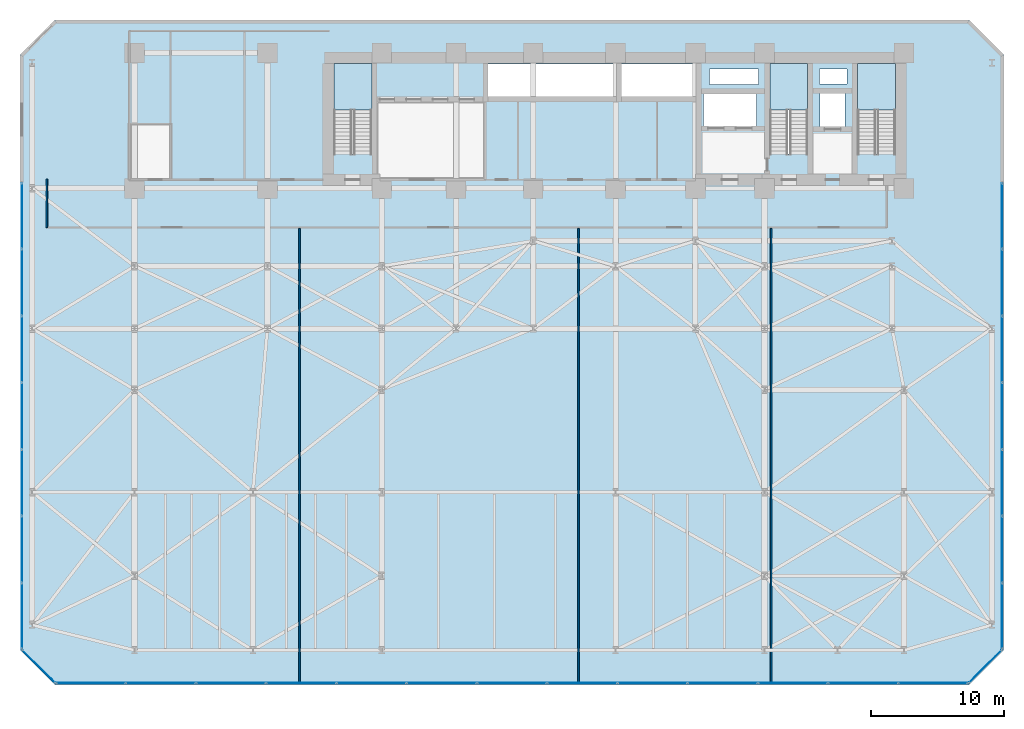
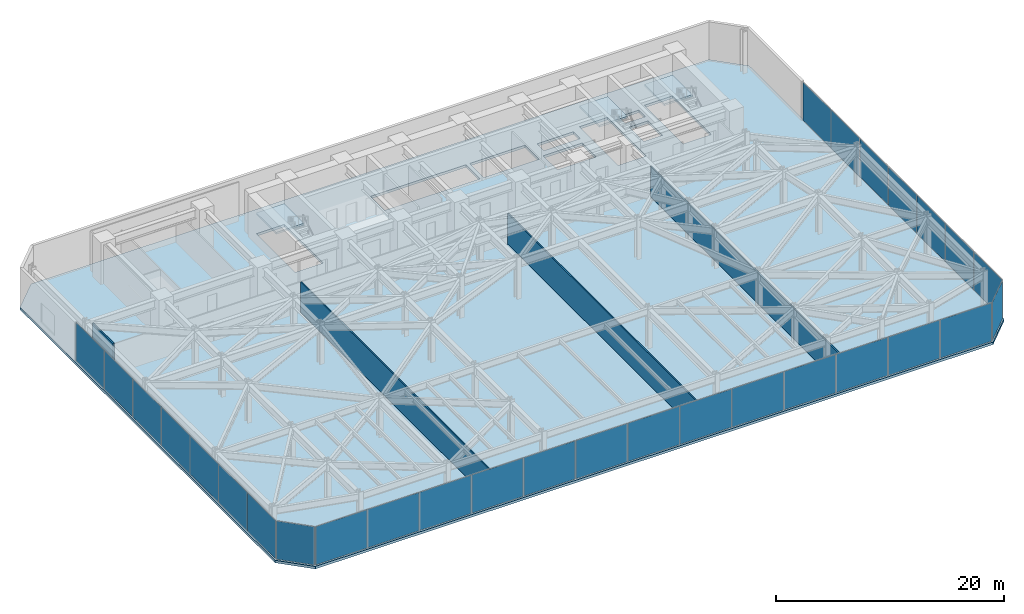
# One storey, part 24 of 28: 29 plates, 4 slabs, 4 walls, 8 elements without a shape of their own.
"""IFC4 building model written with IfcOpenShell, lengths in metres."""

from ifc_helpers import new_model, si_unit, direction, frame, frame_2d, origin, origin_2d, place, context, subcontext, project, spatial, polyline, rectangle, outline, extrude, material, layer, layer_set, type_object, element, aggregate, save


model = new_model("IFC4")

# Units and contexts
model_context = context("Model", 3, precision=1e-05, world=origin(), true_north=direction((0.0, 1.0)))
body_context = subcontext(model_context, "Body", "Model", "MODEL_VIEW")
ifc_project = project(units=[si_unit("LENGTHUNIT", "METRE"), si_unit("AREAUNIT", "SQUARE_METRE"), si_unit("VOLUMEUNIT", "CUBIC_METRE"), si_unit("PLANEANGLEUNIT", "RADIAN"), si_unit("MASSUNIT", "GRAM", prefix="KILO")], contexts=[model_context])

# Site, building, storey
site_placement = place(None, origin())
site = spatial("IfcSite", under=ifc_project, at=site_placement, CompositionType="ELEMENT")
building_placement = place(site_placement, origin())
building = spatial("IfcBuilding", under=site, at=building_placement, Name="Kravanh Interchange Tower", CompositionType="ELEMENT")
storey_placement = place(building_placement, frame((0.0, 0.0, 15.300048828125)))
storey = spatial("IfcBuildingStorey", under=building, at=storey_placement, Name="L03", CompositionType="ELEMENT", Elevation=15.300048828125)

# Slab
ifc_material_1 = material(Name="Concrete C50/60", Category="concrete")
ifc_layer_1 = layer(ifc_material_1, 0.27001953125)
ifc_layer_set_1 = layer_set([ifc_layer_1], Name="Composite Floor Slab Concrete C50/60 270mm")
slab_type_1 = type_object("IfcSlabType", Name="Composite Floor Slab Concrete C50/60 270mm", PredefinedType="FLOOR", material=ifc_layer_set_1)
slab_1_placement = place(storey_placement, frame((0.0, 0.0, -0.27001953125)))
element("IfcSlab", 1, at=slab_1_placement, inside=storey, type_object=slab_type_1, Name="L03 Structural Floor Slab", PredefinedType="FLOOR", context=body_context, shape_type="SweptSolid", body=[
    extrude(outline(polyline([(0.0, 2.60009765625), (2.60009765625, 0.0), (71.39990234375, 0.0), (74.0, 2.60009765625), (74.0, 47.39990234375), (71.39990234375, 50.0), (2.60009765625, 50.0), (0.0, 47.39990234375), (0.0, 2.60009765625)]), holes=[polyline([(65.85009765625, 39.925048828125), (65.85009765625, 46.75), (63.0, 46.75), (63.0, 39.925048828125), (65.85009765625, 39.925048828125)]), polyline([(59.25, 39.925048828125), (59.25, 46.75), (56.39990234375, 46.75), (56.39990234375, 39.925048828125), (59.25, 39.925048828125)]), polyline([(26.449951171875, 39.925048828125), (26.449951171875, 46.75), (23.60009765625, 46.75), (23.60009765625, 39.925048828125), (26.449951171875, 39.925048828125)]), polyline([(35.179931640625, 44.219970703125), (44.840087890625, 44.219970703125), (44.840087890625, 46.699951171875), (35.179931640625, 46.699951171875), (35.179931640625, 44.219970703125)]), polyline([(45.239990234375, 44.219970703125), (50.840087890625, 44.219970703125), (50.840087890625, 46.699951171875), (45.239990234375, 46.699951171875), (45.239990234375, 44.219970703125)]), polyline([(51.419921875, 42.02001953125), (55.3798828125, 42.02001953125), (55.3798828125, 44.47998046875), (51.419921875, 44.47998046875), (51.419921875, 42.02001953125)]), polyline([(60.179931640625, 41.97998046875), (62.06005859375, 41.97998046875), (62.06005859375, 44.52001953125), (60.179931640625, 44.52001953125), (60.179931640625, 41.97998046875)]), polyline([(60.14990234375, 45.199951171875), (62.199951171875, 45.199951171875), (62.199951171875, 46.35009765625), (60.14990234375, 46.35009765625), (60.14990234375, 45.199951171875)]), polyline([(51.85009765625, 45.14990234375), (55.550048828125, 45.14990234375), (55.550048828125, 46.35009765625), (51.85009765625, 46.35009765625), (51.85009765625, 45.14990234375)])]), origin(), (0.0, 0.0, 1.0), 0.27001953125),
])

# Stair, slab
ifc_material_2 = material(Name="Concrete C50/60", Category="concrete")
stair_type = type_object("IfcStairType", Name="Core Fire Exit Dogleg Stair Concrete C50/60", PredefinedType="HALF_TURN_STAIR", material=ifc_material_2)
stair_1_placement = place(storey_placement, origin())
stair_1 = element("IfcStair", 2, at=stair_1_placement, inside=storey, type_object=stair_type, Name="L03 Exit Stair ST1", PredefinedType="HALF_TURN_STAIR")
ifc_material_3 = material(Name="Concrete C50/60", Category="concrete")
ifc_layer_2 = layer(ifc_material_3, 0.199951171875)
ifc_layer_set_2 = layer_set([ifc_layer_2], Name="Concrete C50/60 Stair Half-Landing Slab 200mm")
slab_type_2 = type_object("IfcSlabType", Name="Concrete C50/60 Stair Half-Landing Slab 200mm", PredefinedType="LANDING", material=ifc_layer_set_2)
slab_2_placement = place(storey_placement, frame((0.0, 0.0, 2.050048828125)))
slab_2 = element("IfcSlab", 3, at=slab_2_placement, type_object=slab_type_2, Name="ST1 landing 1", PredefinedType="LANDING", context=body_context, shape_type="SweptSolid", body=[
    extrude(outline(polyline([(65.85009765625, 43.260009765625), (65.85009765625, 46.75), (63.0, 46.75), (63.0, 43.260009765625), (65.85009765625, 43.260009765625)])), origin(), (0.0, 0.0, 1.0), 0.199951171875),
])
aggregate(stair_1, [slab_2])

stair_2_placement = place(storey_placement, origin())
stair_2 = element("IfcStair", 4, at=stair_2_placement, inside=storey, type_object=stair_type, Name="L03 Exit Stair ST2", PredefinedType="HALF_TURN_STAIR")
slab_3_placement = place(storey_placement, frame((0.0, 0.0, 2.050048828125)))
slab_3 = element("IfcSlab", 5, at=slab_3_placement, type_object=slab_type_2, Name="ST2 landing 1", PredefinedType="LANDING", context=body_context, shape_type="SweptSolid", body=[
    extrude(outline(polyline([(59.25, 43.260009765625), (59.25, 46.75), (56.39990234375, 46.75), (56.39990234375, 43.260009765625), (59.25, 43.260009765625)])), origin(), (0.0, 0.0, 1.0), 0.199951171875),
])
aggregate(stair_2, [slab_3])

stair_3_placement = place(storey_placement, origin())
stair_3 = element("IfcStair", 6, at=stair_3_placement, inside=storey, type_object=stair_type, Name="L03 Exit Stair ST3", PredefinedType="HALF_TURN_STAIR")
slab_4_placement = place(storey_placement, frame((0.0, 0.0, 2.050048828125)))
slab_4 = element("IfcSlab", 7, at=slab_4_placement, type_object=slab_type_2, Name="ST3 landing 1", PredefinedType="LANDING", context=body_context, shape_type="SweptSolid", body=[
    extrude(outline(polyline([(26.449951171875, 43.260009765625), (26.449951171875, 46.75), (23.60009765625, 46.75), (23.60009765625, 43.260009765625), (26.449951171875, 43.260009765625)])), origin(), (0.0, 0.0, 1.0), 0.199951171875),
])
aggregate(stair_3, [slab_4])

# Curtain wall, plates
ifc_material_4 = material(Name="Anodised Bronze Aluminium", Category="aluminium")
ifc_layer_3 = layer(ifc_material_4, 0.179931640625)
ifc_layer_set_3 = layer_set([ifc_layer_3], Name="Unitised Curtain Wall System CW-POD Podium Concourse")
curtain_wall_type = type_object("IfcCurtainWallType", Name="Unitised Curtain Wall System CW-POD Podium Concourse", PredefinedType="NOTDEFINED", material=ifc_layer_set_3)
curtain_wall_1_placement = place(storey_placement, origin())
curtain_wall_1 = element("IfcCurtainWall", 8, at=curtain_wall_1_placement, inside=storey, type_object=curtain_wall_type, Name="L03 Unitised Curtain Wall CW-L03-01", PredefinedType="NOTDEFINED")
ifc_material_5 = material(Name="Low-E Laminated Architectural Glass", Category="glass")
ifc_layer_4 = layer(ifc_material_5, 0.031982421875)
ifc_layer_set_4 = layer_set([ifc_layer_4], Name="Low-E Laminated Glazing 32mm")
plate_type = type_object("IfcPlateType", Name="Low-E Laminated Glazing 32mm", PredefinedType="CURTAIN_PANEL", material=ifc_layer_set_4)
plate_1_placement = place(storey_placement, frame((0.1201171875, 5.177978515625, 0.06005859375), z_axis=(0.0, 0.0, 1.0), x_axis=(0.0, 1.0, 0.0)))
plate_1 = element("IfcPlate", 9, at=plate_1_placement, type_object=plate_type, Name="CW-POD panel 1.1", PredefinedType="CURTAIN_PANEL", context=body_context, shape_type="SweptSolid", body=[
    extrude(rectangle(XDim=4.91650390625, YDim=0.031982421875, at=origin_2d()), origin(), (0.0, 0.0, 1.0), 4.110107421875),
])
plate_2_placement = place(storey_placement, frame((0.1201171875, 10.181884765625, 0.06005859375), z_axis=(0.0, 0.0, 1.0), x_axis=(0.0, 1.0, 0.0)))
plate_2 = element("IfcPlate", 10, at=plate_2_placement, type_object=plate_type, Name="CW-POD panel 2.1", PredefinedType="CURTAIN_PANEL", context=body_context, shape_type="SweptSolid", body=[
    extrude(rectangle(XDim=4.951416015625, YDim=0.031982421875, at=origin_2d()), origin(), (0.0, 0.0, 1.0), 4.110107421875),
])
plate_3_placement = place(storey_placement, frame((0.1201171875, 15.203369140625, 0.06005859375), z_axis=(0.0, 0.0, 1.0), x_axis=(0.0, 1.0, 0.0)))
plate_3 = element("IfcPlate", 11, at=plate_3_placement, type_object=plate_type, Name="CW-POD panel 3.1", PredefinedType="CURTAIN_PANEL", context=body_context, shape_type="SweptSolid", body=[
    extrude(rectangle(XDim=4.951416015625, YDim=0.031982421875, at=origin_2d()), origin(), (0.0, 0.0, 1.0), 4.110107421875),
])
plate_4_placement = place(storey_placement, frame((0.1201171875, 20.224853515625, 0.06005859375), z_axis=(0.0, 0.0, 1.0), x_axis=(0.0, 1.0, 0.0)))
plate_4 = element("IfcPlate", 12, at=plate_4_placement, type_object=plate_type, Name="CW-POD panel 4.1", PredefinedType="CURTAIN_PANEL", context=body_context, shape_type="SweptSolid", body=[
    extrude(rectangle(XDim=4.951416015625, YDim=0.031982421875, at=origin_2d()), origin(), (0.0, 0.0, 1.0), 4.110107421875),
])
plate_5_placement = place(storey_placement, frame((0.1201171875, 25.246337890625, 0.06005859375), z_axis=(0.0, 0.0, 1.0), x_axis=(0.0, 1.0, 0.0)))
plate_5 = element("IfcPlate", 13, at=plate_5_placement, type_object=plate_type, Name="CW-POD panel 5.1", PredefinedType="CURTAIN_PANEL", context=body_context, shape_type="SweptSolid", body=[
    extrude(rectangle(XDim=4.951416015625, YDim=0.031982421875, at=origin_2d()), origin(), (0.0, 0.0, 1.0), 4.110107421875),
])
plate_6_placement = place(storey_placement, frame((0.1201171875, 30.267822265625, 0.06005859375), z_axis=(0.0, 0.0, 1.0), x_axis=(0.0, 1.0, 0.0)))
plate_6 = element("IfcPlate", 14, at=plate_6_placement, type_object=plate_type, Name="CW-POD panel 6.1", PredefinedType="CURTAIN_PANEL", context=body_context, shape_type="SweptSolid", body=[
    extrude(rectangle(XDim=4.951416015625, YDim=0.031982421875, at=origin_2d()), origin(), (0.0, 0.0, 1.0), 4.110107421875),
])
plate_7_placement = place(storey_placement, frame((0.1201171875, 35.271728515625, 0.06005859375), z_axis=(0.0, 0.0, 1.0), x_axis=(0.0, 1.0, 0.0)))
plate_7 = element("IfcPlate", 15, at=plate_7_placement, type_object=plate_type, Name="CW-POD panel 7.1", PredefinedType="CURTAIN_PANEL", context=body_context, shape_type="SweptSolid", body=[
    extrude(rectangle(XDim=4.91650390625, YDim=0.031982421875, at=origin_2d()), origin(), (0.0, 0.0, 1.0), 4.110107421875),
])
aggregate(curtain_wall_1, [plate_1, plate_2, plate_3, plate_4, plate_5, plate_6, plate_7])

curtain_wall_2_placement = place(storey_placement, origin())
curtain_wall_2 = element("IfcCurtainWall", 16, at=curtain_wall_2_placement, inside=storey, type_object=curtain_wall_type, Name="L03 Unitised Curtain Wall CW-L03-02", PredefinedType="NOTDEFINED")
plate_8_placement = place(storey_placement, frame((73.8798828125, 35.271728515625, 0.06005859375), z_axis=(0.0, 0.0, 1.0), x_axis=(0.0, -1.0, 0.0)))
plate_8 = element("IfcPlate", 17, at=plate_8_placement, type_object=plate_type, Name="CW-POD panel 1.1", PredefinedType="CURTAIN_PANEL", context=body_context, shape_type="SweptSolid", body=[
    extrude(rectangle(XDim=4.91650390625, YDim=0.031982421875, at=origin_2d()), origin(), (0.0, 0.0, 1.0), 4.110107421875),
])
plate_9_placement = place(storey_placement, frame((73.8798828125, 30.267822265625, 0.06005859375), z_axis=(0.0, 0.0, 1.0), x_axis=(0.0, -1.0, 0.0)))
plate_9 = element("IfcPlate", 18, at=plate_9_placement, type_object=plate_type, Name="CW-POD panel 2.1", PredefinedType="CURTAIN_PANEL", context=body_context, shape_type="SweptSolid", body=[
    extrude(rectangle(XDim=4.951416015625, YDim=0.031982421875, at=origin_2d()), origin(), (0.0, 0.0, 1.0), 4.110107421875),
])
plate_10_placement = place(storey_placement, frame((73.8798828125, 25.246337890625, 0.06005859375), z_axis=(0.0, 0.0, 1.0), x_axis=(0.0, -1.0, 0.0)))
plate_10 = element("IfcPlate", 19, at=plate_10_placement, type_object=plate_type, Name="CW-POD panel 3.1", PredefinedType="CURTAIN_PANEL", context=body_context, shape_type="SweptSolid", body=[
    extrude(rectangle(XDim=4.951416015625, YDim=0.031982421875, at=origin_2d()), origin(), (0.0, 0.0, 1.0), 4.110107421875),
])
plate_11_placement = place(storey_placement, frame((73.8798828125, 20.224853515625, 0.06005859375), z_axis=(0.0, 0.0, 1.0), x_axis=(0.0, -1.0, 0.0)))
plate_11 = element("IfcPlate", 20, at=plate_11_placement, type_object=plate_type, Name="CW-POD panel 4.1", PredefinedType="CURTAIN_PANEL", context=body_context, shape_type="SweptSolid", body=[
    extrude(rectangle(XDim=4.951416015625, YDim=0.031982421875, at=origin_2d()), origin(), (0.0, 0.0, 1.0), 4.110107421875),
])
plate_12_placement = place(storey_placement, frame((73.8798828125, 15.203369140625, 0.06005859375), z_axis=(0.0, 0.0, 1.0), x_axis=(0.0, -1.0, 0.0)))
plate_12 = element("IfcPlate", 21, at=plate_12_placement, type_object=plate_type, Name="CW-POD panel 5.1", PredefinedType="CURTAIN_PANEL", context=body_context, shape_type="SweptSolid", body=[
    extrude(rectangle(XDim=4.951416015625, YDim=0.031982421875, at=origin_2d()), origin(), (0.0, 0.0, 1.0), 4.110107421875),
])
plate_13_placement = place(storey_placement, frame((73.8798828125, 10.181884765625, 0.06005859375), z_axis=(0.0, 0.0, 1.0), x_axis=(0.0, -1.0, 0.0)))
plate_13 = element("IfcPlate", 22, at=plate_13_placement, type_object=plate_type, Name="CW-POD panel 6.1", PredefinedType="CURTAIN_PANEL", context=body_context, shape_type="SweptSolid", body=[
    extrude(rectangle(XDim=4.951416015625, YDim=0.031982421875, at=origin_2d()), origin(), (0.0, 0.0, 1.0), 4.110107421875),
])
plate_14_placement = place(storey_placement, frame((73.8798828125, 5.177978515625, 0.06005859375), z_axis=(0.0, 0.0, 1.0), x_axis=(0.0, -1.0, 0.0)))
plate_14 = element("IfcPlate", 23, at=plate_14_placement, type_object=plate_type, Name="CW-POD panel 7.1", PredefinedType="CURTAIN_PANEL", context=body_context, shape_type="SweptSolid", body=[
    extrude(rectangle(XDim=4.91650390625, YDim=0.031982421875, at=origin_2d()), origin(), (0.0, 0.0, 1.0), 4.110107421875),
])
aggregate(curtain_wall_2, [plate_8, plate_9, plate_10, plate_11, plate_12, plate_13, plate_14])

# Curtain wall, plate
curtain_wall_3_placement = place(storey_placement, origin())
curtain_wall_3 = element("IfcCurtainWall", 24, at=curtain_wall_3_placement, inside=storey, type_object=curtain_wall_type, Name="L03 Unitised Curtain Wall CW-L03-03", PredefinedType="NOTDEFINED")
plate_15_placement = place(storey_placement, frame((72.615234375, 1.384765625, 0.06005859375), z_axis=(0.0, 0.0, 1.0), x_axis=(-0.707106781187, -0.707106781187, 0.0)))
plate_15 = element("IfcPlate", 25, at=plate_15_placement, type_object=plate_type, Name="CW-POD panel 1.1", PredefinedType="CURTAIN_PANEL", context=body_context, shape_type="SweptSolid", body=[
    extrude(rectangle(XDim=3.4375, YDim=0.031982421875, at=origin_2d()), origin(), (0.0, 0.0, 1.0), 4.110107421875),
])
aggregate(curtain_wall_3, [plate_15])

# Curtain wall, plates
curtain_wall_4_placement = place(storey_placement, origin())
curtain_wall_4 = element("IfcCurtainWall", 26, at=curtain_wall_4_placement, inside=storey, type_object=curtain_wall_type, Name="L03 Unitised Curtain Wall CW-L03-04", PredefinedType="NOTDEFINED")
plate_16_placement = place(storey_placement, frame((68.6904296875, 0.1201171875, 0.06005859375), z_axis=(0.0, 0.0, 1.0), x_axis=(-1.0, 0.0, 0.0)))
plate_16 = element("IfcPlate", 27, at=plate_16_placement, type_object=plate_type, Name="CW-POD panel 1.1", PredefinedType="CURTAIN_PANEL", context=body_context, shape_type="SweptSolid", body=[
    extrude(rectangle(XDim=5.1796875, YDim=0.031982421875, at=origin_2d()), origin(), (0.0, 0.0, 1.0), 4.110107421875),
])
plate_17_placement = place(storey_placement, frame((63.42333984375, 0.1201171875, 0.06005859375), z_axis=(0.0, 0.0, 1.0), x_axis=(-1.0, 0.0, 0.0)))
plate_17 = element("IfcPlate", 28, at=plate_17_placement, type_object=plate_type, Name="CW-POD panel 2.1", PredefinedType="CURTAIN_PANEL", context=body_context, shape_type="SweptSolid", body=[
    extrude(rectangle(XDim=5.214599609375, YDim=0.031982421875, at=origin_2d()), origin(), (0.0, 0.0, 1.0), 4.110107421875),
])
plate_18_placement = place(storey_placement, frame((58.138671875, 0.1201171875, 0.06005859375), z_axis=(0.0, 0.0, 1.0), x_axis=(-1.0, 0.0, 0.0)))
plate_18 = element("IfcPlate", 29, at=plate_18_placement, type_object=plate_type, Name="CW-POD panel 3.1", PredefinedType="CURTAIN_PANEL", context=body_context, shape_type="SweptSolid", body=[
    extrude(rectangle(XDim=5.214599609375, YDim=0.031982421875, at=origin_2d()), origin(), (0.0, 0.0, 1.0), 4.110107421875),
])
plate_19_placement = place(storey_placement, frame((52.85400390625, 0.1201171875, 0.06005859375), z_axis=(0.0, 0.0, 1.0), x_axis=(-1.0, 0.0, 0.0)))
plate_19 = element("IfcPlate", 30, at=plate_19_placement, type_object=plate_type, Name="CW-POD panel 4.1", PredefinedType="CURTAIN_PANEL", context=body_context, shape_type="SweptSolid", body=[
    extrude(rectangle(XDim=5.214599609375, YDim=0.031982421875, at=origin_2d()), origin(), (0.0, 0.0, 1.0), 4.110107421875),
])
plate_20_placement = place(storey_placement, frame((47.5693359375, 0.1201171875, 0.06005859375), z_axis=(0.0, 0.0, 1.0), x_axis=(-1.0, 0.0, 0.0)))
plate_20 = element("IfcPlate", 31, at=plate_20_placement, type_object=plate_type, Name="CW-POD panel 5.1", PredefinedType="CURTAIN_PANEL", context=body_context, shape_type="SweptSolid", body=[
    extrude(rectangle(XDim=5.214599609375, YDim=0.031982421875, at=origin_2d()), origin(), (0.0, 0.0, 1.0), 4.110107421875),
])
plate_21_placement = place(storey_placement, frame((42.28466796875, 0.1201171875, 0.06005859375), z_axis=(0.0, 0.0, 1.0), x_axis=(-1.0, 0.0, 0.0)))
plate_21 = element("IfcPlate", 32, at=plate_21_placement, type_object=plate_type, Name="CW-POD panel 6.1", PredefinedType="CURTAIN_PANEL", context=body_context, shape_type="SweptSolid", body=[
    extrude(rectangle(XDim=5.214599609375, YDim=0.031982421875, at=origin_2d()), origin(), (0.0, 0.0, 1.0), 4.110107421875),
])
plate_22_placement = place(storey_placement, frame((37.0, 0.1201171875, 0.06005859375), z_axis=(0.0, 0.0, 1.0), x_axis=(-1.0, 0.0, 0.0)))
plate_22 = element("IfcPlate", 33, at=plate_22_placement, type_object=plate_type, Name="CW-POD panel 7.1", PredefinedType="CURTAIN_PANEL", context=body_context, shape_type="SweptSolid", body=[
    extrude(rectangle(XDim=5.214599609375, YDim=0.031982421875, at=origin_2d()), origin(), (0.0, 0.0, 1.0), 4.110107421875),
])
plate_23_placement = place(storey_placement, frame((31.71533203125, 0.1201171875, 0.06005859375), z_axis=(0.0, 0.0, 1.0), x_axis=(-1.0, 0.0, 0.0)))
plate_23 = element("IfcPlate", 34, at=plate_23_placement, type_object=plate_type, Name="CW-POD panel 8.1", PredefinedType="CURTAIN_PANEL", context=body_context, shape_type="SweptSolid", body=[
    extrude(rectangle(XDim=5.214599609375, YDim=0.031982421875, at=origin_2d()), origin(), (0.0, 0.0, 1.0), 4.110107421875),
])
plate_24_placement = place(storey_placement, frame((26.4306640625, 0.1201171875, 0.06005859375), z_axis=(0.0, 0.0, 1.0), x_axis=(-1.0, 0.0, 0.0)))
plate_24 = element("IfcPlate", 35, at=plate_24_placement, type_object=plate_type, Name="CW-POD panel 9.1", PredefinedType="CURTAIN_PANEL", context=body_context, shape_type="SweptSolid", body=[
    extrude(rectangle(XDim=5.214599609375, YDim=0.031982421875, at=origin_2d()), origin(), (0.0, 0.0, 1.0), 4.110107421875),
])
plate_25_placement = place(storey_placement, frame((21.14599609375, 0.1201171875, 0.06005859375), z_axis=(0.0, 0.0, 1.0), x_axis=(-1.0, 0.0, 0.0)))
plate_25 = element("IfcPlate", 36, at=plate_25_placement, type_object=plate_type, Name="CW-POD panel 10.1", PredefinedType="CURTAIN_PANEL", context=body_context, shape_type="SweptSolid", body=[
    extrude(rectangle(XDim=5.214599609375, YDim=0.031982421875, at=origin_2d()), origin(), (0.0, 0.0, 1.0), 4.110107421875),
])
plate_26_placement = place(storey_placement, frame((15.861328125, 0.1201171875, 0.06005859375), z_axis=(0.0, 0.0, 1.0), x_axis=(-1.0, 0.0, 0.0)))
plate_26 = element("IfcPlate", 37, at=plate_26_placement, type_object=plate_type, Name="CW-POD panel 11.1", PredefinedType="CURTAIN_PANEL", context=body_context, shape_type="SweptSolid", body=[
    extrude(rectangle(XDim=5.214599609375, YDim=0.031982421875, at=origin_2d()), origin(), (0.0, 0.0, 1.0), 4.110107421875),
])
plate_27_placement = place(storey_placement, frame((10.57666015625, 0.1201171875, 0.06005859375), z_axis=(0.0, 0.0, 1.0), x_axis=(-1.0, 0.0, 0.0)))
plate_27 = element("IfcPlate", 38, at=plate_27_placement, type_object=plate_type, Name="CW-POD panel 12.1", PredefinedType="CURTAIN_PANEL", context=body_context, shape_type="SweptSolid", body=[
    extrude(rectangle(XDim=5.214599609375, YDim=0.031982421875, at=origin_2d()), origin(), (0.0, 0.0, 1.0), 4.110107421875),
])
plate_28_placement = place(storey_placement, frame((5.3095703125, 0.1201171875, 0.06005859375), z_axis=(0.0, 0.0, 1.0), x_axis=(-1.0, 0.0, 0.0)))
plate_28 = element("IfcPlate", 39, at=plate_28_placement, type_object=plate_type, Name="CW-POD panel 13.1", PredefinedType="CURTAIN_PANEL", context=body_context, shape_type="SweptSolid", body=[
    extrude(rectangle(XDim=5.1796875, YDim=0.031982421875, at=origin_2d()), origin(), (0.0, 0.0, 1.0), 4.110107421875),
])
aggregate(curtain_wall_4, [plate_16, plate_17, plate_18, plate_19, plate_20, plate_21, plate_22, plate_23, plate_24, plate_25, plate_26, plate_27, plate_28])

# Curtain wall, plate
curtain_wall_5_placement = place(storey_placement, origin())
curtain_wall_5 = element("IfcCurtainWall", 40, at=curtain_wall_5_placement, inside=storey, type_object=curtain_wall_type, Name="L03 Unitised Curtain Wall CW-L03-05", PredefinedType="NOTDEFINED")
plate_29_placement = place(storey_placement, frame((1.384765625, 1.384765625, 0.06005859375), z_axis=(0.0, 0.0, 1.0), x_axis=(-0.707106781187, 0.707106781187, 0.0)))
plate_29 = element("IfcPlate", 41, at=plate_29_placement, type_object=plate_type, Name="CW-POD panel 1.1", PredefinedType="CURTAIN_PANEL", context=body_context, shape_type="SweptSolid", body=[
    extrude(rectangle(XDim=3.4375, YDim=0.031982421875, at=origin_2d()), origin(), (0.0, 0.0, 1.0), 4.110107421875),
])
aggregate(curtain_wall_5, [plate_29])

# Walls
ifc_material_6 = material(Name="Double Acoustic Gypsum Board and Mineral Wool")
ifc_layer_5 = layer(ifc_material_6, 0.1201171875)
ifc_layer_set_5 = layer_set([ifc_layer_5], Name="Acoustic Office Drywall Partition 120mm")
wall_type = type_object("IfcWallType", Name="Acoustic Office Drywall Partition 120mm", PredefinedType="PARTITIONING", material=ifc_layer_set_5)
wall_placement = place(storey_placement, frame((2.0, 34.39990234375, 0.0), z_axis=(0.0, 0.0, 1.0), x_axis=(0.0, 1.0, 0.0)))
element("IfcWall", 42, at=wall_placement, inside=storey, type_object=wall_type, Name="L03 Interior Partition 8", PredefinedType="PARTITIONING", context=body_context, shape_type="SweptSolid", body=[
    extrude(rectangle(XDim=3.650146484375, YDim=0.1201171875, at=frame_2d((1.8251953125, 0.0))), origin(), (0.0, 0.0, 1.0), 3.281982421875),
])
for number, where, z_axis, x_axis, name in (
    (43, (21.0, 0.199951171875, 0.0), (0.0, 0.0, 1.0), (0.0, 1.0, 0.0), "L03 Interior Partition 16"),
    (44, (42.0, 0.199951171875, 0.0), (0.0, 0.0, 1.0), (0.0, 1.0, 0.0), "L03 Interior Partition 17"),
    (45, (56.5, 0.199951171875, 0.0), (0.0, 0.0, 1.0), (0.0, 1.0, 0.0), "L03 Interior Partition 18"),
):
    element("IfcWall", number, at=place(storey_placement, frame(where, z_axis=z_axis, x_axis=x_axis)), inside=storey, type_object=wall_type, Name=name, PredefinedType="PARTITIONING", context=body_context, shape_type="SweptSolid", body=[
        extrude(rectangle(XDim=34.132080078125, YDim=0.1201171875, at=frame_2d((17.06591796875, 0.0))), origin(), (0.0, 0.0, 1.0), 3.281982421875),
    ])

save(model, "model.ifc")
